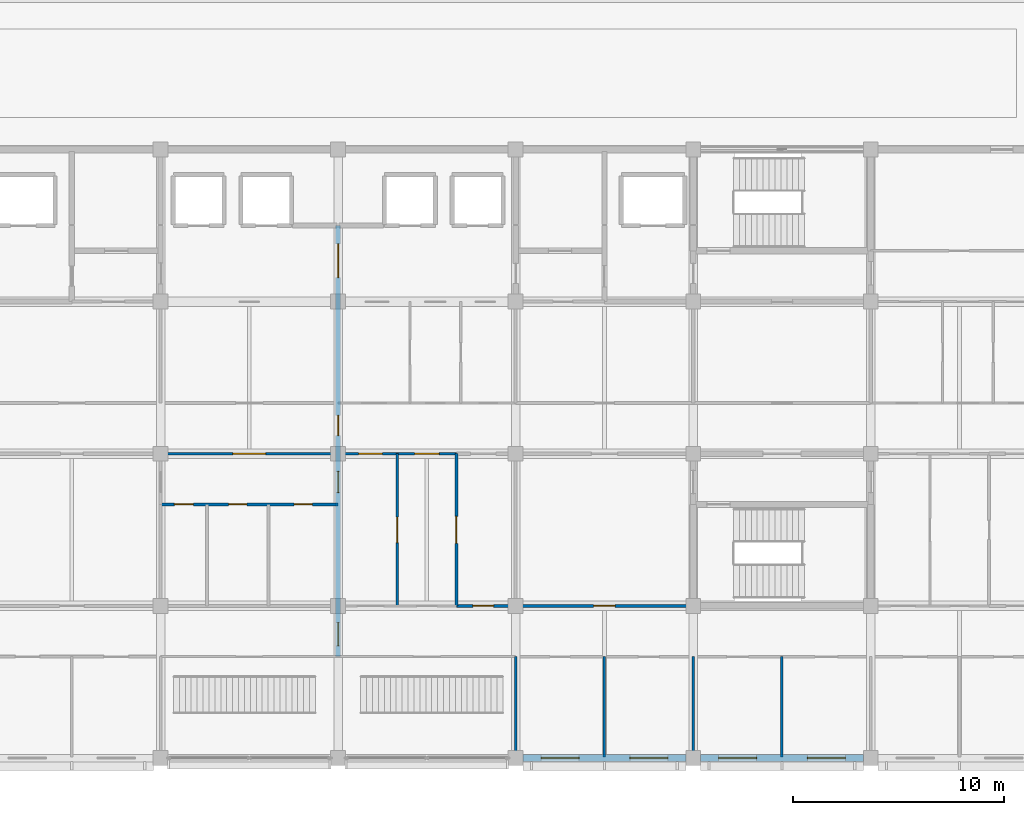
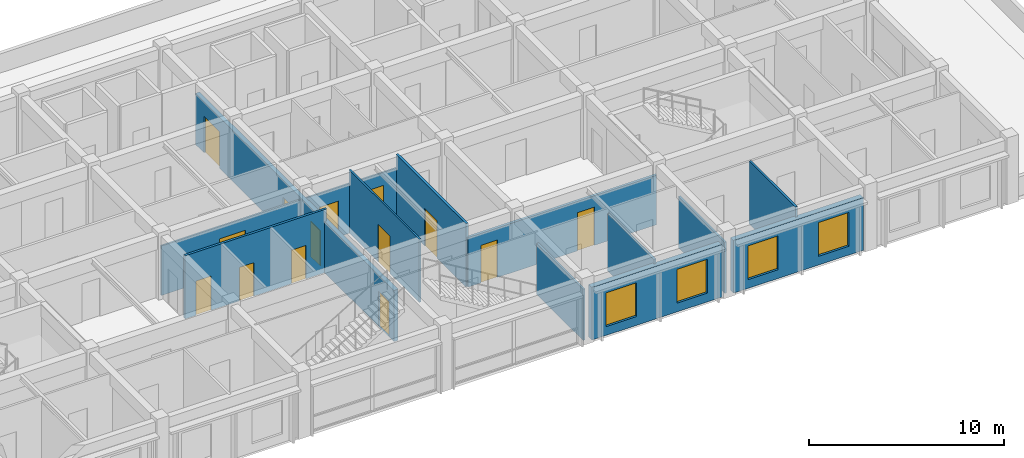
# One storey, part 12 of 19: 14 doors, 12 walls, 4 windows, 18 openings.
"""IFC4 building model written with IfcOpenShell, lengths in metres."""

from ifc_helpers import new_model, si_unit, direction, frame, frame_2d, origin, place, context, subcontext, project, spatial, rectangle, extrude, material, layer, layer_set, type_object, element, fill, save


model = new_model("IFC4")

# Units and contexts
model_context = context("Model", 3, precision=1e-05, world=origin(), true_north=direction((0.0, 1.0)))
body_context = subcontext(model_context, "Body", "Model", "MODEL_VIEW")
ifc_project = project(units=[si_unit("LENGTHUNIT", "METRE"), si_unit("AREAUNIT", "SQUARE_METRE"), si_unit("VOLUMEUNIT", "CUBIC_METRE"), si_unit("PLANEANGLEUNIT", "RADIAN"), si_unit("MASSUNIT", "GRAM", prefix="KILO")], contexts=[model_context])

# Site, building, storey
site_placement = place(None, origin())
site = spatial("IfcSite", under=ifc_project, at=site_placement, CompositionType="ELEMENT")
building_placement = place(site_placement, origin())
building = spatial("IfcBuilding", under=site, at=building_placement, Name="Chengyuan Square Courthouse", CompositionType="ELEMENT")
storey_placement = place(building_placement, frame((0.0, 0.0, 47.699951171875)))
storey = spatial("IfcBuildingStorey", under=building, at=storey_placement, Name="L11", CompositionType="ELEMENT", Elevation=47.699951171875)

# Wall, openings, windows
ifc_material_1 = material(Name="Concrete C40", Category="concrete")
ifc_layer_1 = layer(ifc_material_1, 0.320068359375)
ifc_layer_set_1 = layer_set([ifc_layer_1], Name="Concrete C40")
wall_type_1 = type_object("IfcWallType", Name="WL-EW3", PredefinedType="STANDARD", material=ifc_layer_set_1)
wall_1_placement = place(storey_placement, frame((92.7451171875, 79.199951171875, 0.0), z_axis=(0.0, 0.0, 1.0), x_axis=(1.0, 0.0, 0.0)))
wall_1 = element("IfcWall", 1, at=wall_1_placement, inside=storey, type_object=wall_type_1, Name="Exterior Wall WL-L11-E457", PredefinedType="STANDARD", context=body_context, shape_type="SweptSolid", body=[
    extrude(rectangle(XDim=7.7099609375, YDim=0.320068359375, at=frame_2d((3.85498046875, 0.0))), origin(), (0.0, 0.0, 1.0), 3.31005859375),
])
opening_1_placement = place(wall_1_placement, frame((0.85498046875, 0.0, 0.550048828125)))
opening_1 = element("IfcOpeningElement", 2, at=opening_1_placement, cuts=wall_1, Name="Opening WN-188", PredefinedType="OPENING", context=body_context, shape_type="SweptSolid", body=[
    extrude(rectangle(XDim=1.800048828125, YDim=2.1201171875, at=frame_2d((0.89990234375, 1.06005859375))), frame((0.0, 0.172119140625, 0.0), z_axis=(0.0, -1.0, 0.0), x_axis=(1.0, 0.0, 0.0)), (0.0, 0.0, 1.0), 0.343994140625),
])
opening_2_placement = place(wall_1_placement, frame((5.054931640625, 0.0, 0.550048828125)))
opening_2 = element("IfcOpeningElement", 3, at=opening_2_placement, cuts=wall_1, Name="Opening WN-189", PredefinedType="OPENING", context=body_context, shape_type="SweptSolid", body=[
    extrude(rectangle(XDim=1.800048828125, YDim=2.1201171875, at=frame_2d((0.89990234375, 1.06005859375))), frame((0.0, 0.172119140625, 0.0), z_axis=(0.0, -1.0, 0.0), x_axis=(1.0, 0.0, 0.0)), (0.0, 0.0, 1.0), 0.343994140625),
])
ifc_material_2 = material(Name="Thermally Broken Aluminium Triple Low-E Window", Category="aluminium")
window_type = type_object("IfcWindowType", Name="WT-36", PartitioningType="SINGLE_PANEL", PredefinedType="WINDOW", material=ifc_material_2)
window_1_placement = place(opening_1_placement, origin())
window_1 = element("IfcWindow", 4, at=window_1_placement, inside=storey, type_object=window_type, Name="Facade Window WN-188", OverallHeight=2.1201171875, OverallWidth=1.800048828125, PartitioningType="SINGLE_PANEL", PredefinedType="WINDOW", context=body_context, shape_type="SweptSolid", body=[
    extrude(rectangle(XDim=1.800048828125, YDim=2.1201171875, at=frame_2d((0.89990234375, 1.06005859375))), frame((0.0, 0.030029296875, 0.0), z_axis=(0.0, -1.0, 0.0), x_axis=(1.0, 0.0, 0.0)), (0.0, 0.0, 1.0), 0.06005859375),
])
fill(opening_1, window_1)
window_2_placement = place(opening_2_placement, origin())
window_2 = element("IfcWindow", 5, at=window_2_placement, inside=storey, type_object=window_type, Name="Facade Window WN-189", OverallHeight=2.1201171875, OverallWidth=1.800048828125, PartitioningType="SINGLE_PANEL", PredefinedType="WINDOW", context=body_context, shape_type="SweptSolid", body=[
    extrude(rectangle(XDim=1.800048828125, YDim=2.1201171875, at=frame_2d((0.89990234375, 1.06005859375))), frame((0.0, 0.030029296875, 0.0), z_axis=(0.0, -1.0, 0.0), x_axis=(1.0, 0.0, 0.0)), (0.0, 0.0, 1.0), 0.06005859375),
])
fill(opening_2, window_2)

wall_2_placement = place(storey_placement, frame((101.14501953125, 79.199951171875, 0.0), z_axis=(0.0, 0.0, 1.0), x_axis=(1.0, 0.0, 0.0)))
wall_2 = element("IfcWall", 6, at=wall_2_placement, inside=storey, type_object=wall_type_1, Name="Exterior Wall WL-L11-E459", PredefinedType="STANDARD", context=body_context, shape_type="SweptSolid", body=[
    extrude(rectangle(XDim=7.7099609375, YDim=0.320068359375, at=frame_2d((3.85498046875, 0.0))), origin(), (0.0, 0.0, 1.0), 3.31005859375),
])
opening_3_placement = place(wall_2_placement, frame((0.85498046875, 0.0, 0.550048828125)))
opening_3 = element("IfcOpeningElement", 7, at=opening_3_placement, cuts=wall_2, Name="Opening WN-190", PredefinedType="OPENING", context=body_context, shape_type="SweptSolid", body=[
    extrude(rectangle(XDim=1.800048828125, YDim=2.1201171875, at=frame_2d((0.89990234375, 1.06005859375))), frame((0.0, 0.172119140625, 0.0), z_axis=(0.0, -1.0, 0.0), x_axis=(1.0, 0.0, 0.0)), (0.0, 0.0, 1.0), 0.343994140625),
])
opening_4_placement = place(wall_2_placement, frame((5.054931640625, 0.0, 0.550048828125)))
opening_4 = element("IfcOpeningElement", 8, at=opening_4_placement, cuts=wall_2, Name="Opening WN-191", PredefinedType="OPENING", context=body_context, shape_type="SweptSolid", body=[
    extrude(rectangle(XDim=1.800048828125, YDim=2.1201171875, at=frame_2d((0.89990234375, 1.06005859375))), frame((0.0, 0.172119140625, 0.0), z_axis=(0.0, -1.0, 0.0), x_axis=(1.0, 0.0, 0.0)), (0.0, 0.0, 1.0), 0.343994140625),
])
window_3_placement = place(opening_3_placement, origin())
window_3 = element("IfcWindow", 9, at=window_3_placement, inside=storey, type_object=window_type, Name="Facade Window WN-190", OverallHeight=2.1201171875, OverallWidth=1.800048828125, PartitioningType="SINGLE_PANEL", PredefinedType="WINDOW", context=body_context, shape_type="SweptSolid", body=[
    extrude(rectangle(XDim=1.800048828125, YDim=2.1201171875, at=frame_2d((0.89990234375, 1.06005859375))), frame((0.0, 0.030029296875, 0.0), z_axis=(0.0, -1.0, 0.0), x_axis=(1.0, 0.0, 0.0)), (0.0, 0.0, 1.0), 0.06005859375),
])
fill(opening_3, window_3)
window_4_placement = place(opening_4_placement, origin())
window_4 = element("IfcWindow", 10, at=window_4_placement, inside=storey, type_object=window_type, Name="Facade Window WN-191", OverallHeight=2.1201171875, OverallWidth=1.800048828125, PartitioningType="SINGLE_PANEL", PredefinedType="WINDOW", context=body_context, shape_type="SweptSolid", body=[
    extrude(rectangle(XDim=1.800048828125, YDim=2.1201171875, at=frame_2d((0.89990234375, 1.06005859375))), frame((0.0, 0.030029296875, 0.0), z_axis=(0.0, -1.0, 0.0), x_axis=(1.0, 0.0, 0.0)), (0.0, 0.0, 1.0), 0.06005859375),
])
fill(opening_4, window_4)

# Wall, openings, doors
ifc_layer_2 = layer(ifc_material_1, 0.25)
ifc_layer_set_2 = layer_set([ifc_layer_2], Name="Concrete C40")
wall_type_2 = type_object("IfcWallType", Name="WL-FW1", PredefinedType="STANDARD", material=ifc_layer_set_2)
wall_3_placement = place(storey_placement, frame((84.0, 84.0, 0.0), z_axis=(0.0, 0.0, 1.0), x_axis=(0.0, 1.0, 0.0)))
wall_3 = element("IfcWall", 11, at=wall_3_placement, inside=storey, type_object=wall_type_2, Name="Interior Wall WL-L11-I3599", PredefinedType="STANDARD", context=body_context, shape_type="SweptSolid", body=[
    extrude(rectangle(XDim=20.39990234375, YDim=0.25, at=frame_2d((10.199951171875, 0.0))), origin(), (0.0, 0.0, 1.0), 3.2099609375),
])
opening_5_placement = place(wall_3_placement, frame((17.93505859375, 0.0, 0.0)))
opening_5 = element("IfcOpeningElement", 12, at=opening_5_placement, cuts=wall_3, Name="Opening DR-2933", PredefinedType="OPENING", context=body_context, shape_type="SweptSolid", body=[
    extrude(rectangle(XDim=1.60009765625, YDim=2.300048828125, at=frame_2d((0.800048828125, 1.14990234375))), frame((0.0, 0.136962890625, 0.0), z_axis=(0.0, -1.0, 0.0), x_axis=(1.0, 0.0, 0.0)), (0.0, 0.0, 1.0), 0.27392578125),
])
opening_6_placement = place(wall_3_placement, frame((7.764892578125, 0.0, 0.0)))
opening_6 = element("IfcOpeningElement", 13, at=opening_6_placement, cuts=wall_3, Name="Opening DR-2951", PredefinedType="OPENING", context=body_context, shape_type="SweptSolid", body=[
    extrude(rectangle(XDim=1.0, YDim=2.199951171875, at=frame_2d((0.5, 1.10009765625))), frame((0.0, 0.136962890625, 0.0), z_axis=(0.0, -1.0, 0.0), x_axis=(1.0, 0.0, 0.0)), (0.0, 0.0, 1.0), 0.27392578125),
])
opening_7_placement = place(wall_3_placement, frame((10.4599609375, 0.0, 0.0)))
opening_7 = element("IfcOpeningElement", 14, at=opening_7_placement, cuts=wall_3, Name="Opening DR-2952", PredefinedType="OPENING", context=body_context, shape_type="SweptSolid", body=[
    extrude(rectangle(XDim=0.949951171875, YDim=2.14990234375, at=frame_2d((0.47509765625, 1.074951171875))), frame((0.0, 0.136962890625, 0.0), z_axis=(0.0, -1.0, 0.0), x_axis=(1.0, 0.0, 0.0)), (0.0, 0.0, 1.0), 0.27392578125),
])
opening_8_placement = place(wall_3_placement, frame((0.514892578125, 0.0, 0.0)))
opening_8 = element("IfcOpeningElement", 15, at=opening_8_placement, cuts=wall_3, Name="Opening DR-3001", PredefinedType="OPENING", context=body_context, shape_type="SweptSolid", body=[
    extrude(rectangle(XDim=1.10009765625, YDim=2.199951171875, at=frame_2d((0.550048828125, 1.10009765625))), frame((0.0, 0.136962890625, 0.0), z_axis=(0.0, -1.0, 0.0), x_axis=(1.0, 0.0, 0.0)), (0.0, 0.0, 1.0), 0.27392578125),
])
ifc_material_3 = material(Name="Steel Q235B Fire Door", Category="steel")
door_type_1 = type_object("IfcDoorType", Name="DT-10", OperationType="NOTDEFINED", PredefinedType="DOOR", material=ifc_material_3)
door_1_placement = place(opening_8_placement, origin())
door_1 = element("IfcDoor", 16, at=door_1_placement, inside=storey, type_object=door_type_1, Name="Interior Door DR-3001", OperationType="SINGLE_SWING_RIGHT", OverallHeight=2.199951171875, OverallWidth=1.10009765625, PredefinedType="DOOR", context=body_context, shape_type="SweptSolid", body=[
    extrude(rectangle(XDim=1.10009765625, YDim=2.199951171875, at=frame_2d((0.550048828125, 1.10009765625))), frame((0.0, 0.02490234375, 0.0), z_axis=(0.0, -1.0, 0.0), x_axis=(1.0, 0.0, 0.0)), (0.0, 0.0, 1.0), 0.050048828125),
])
fill(opening_8, door_1)
door_type_2 = type_object("IfcDoorType", Name="DT-11", OperationType="NOTDEFINED", PredefinedType="DOOR", material=ifc_material_3)
door_2_placement = place(opening_6_placement, origin())
door_2 = element("IfcDoor", 17, at=door_2_placement, inside=storey, type_object=door_type_2, Name="Interior Door DR-2951", OperationType="SINGLE_SWING_RIGHT", OverallHeight=2.199951171875, OverallWidth=1.0, PredefinedType="DOOR", context=body_context, shape_type="SweptSolid", body=[
    extrude(rectangle(XDim=1.0, YDim=2.199951171875, at=frame_2d((0.5, 1.10009765625))), frame((0.0, 0.02490234375, 0.0), z_axis=(0.0, -1.0, 0.0), x_axis=(1.0, 0.0, 0.0)), (0.0, 0.0, 1.0), 0.050048828125),
])
fill(opening_6, door_2)
door_type_3 = type_object("IfcDoorType", Name="DT-12", OperationType="NOTDEFINED", PredefinedType="DOOR", material=ifc_material_3)
door_3_placement = place(opening_7_placement, origin())
door_3 = element("IfcDoor", 18, at=door_3_placement, inside=storey, type_object=door_type_3, Name="Interior Door DR-2952", OperationType="SINGLE_SWING_LEFT", OverallHeight=2.14990234375, OverallWidth=0.949951171875, PredefinedType="DOOR", context=body_context, shape_type="SweptSolid", body=[
    extrude(rectangle(XDim=0.949951171875, YDim=2.14990234375, at=frame_2d((0.47509765625, 1.074951171875))), frame((0.0, 0.02490234375, 0.0), z_axis=(0.0, -1.0, 0.0), x_axis=(1.0, 0.0, 0.0)), (0.0, 0.0, 1.0), 0.050048828125),
])
fill(opening_7, door_3)
ifc_material_4 = material(Name="Steel Q235B Glazed Fire Door", Category="steel")
door_type_4 = type_object("IfcDoorType", Name="DT-17", OperationType="DOUBLE_DOOR_SINGLE_SWING", PredefinedType="DOOR", material=ifc_material_4)
door_4_placement = place(opening_5_placement, frame((1.60009765625, 0.0, 0.0), z_axis=(0.0, 0.0, 1.0), x_axis=(-1.0, 0.0, 0.0)))
door_4 = element("IfcDoor", 19, at=door_4_placement, inside=storey, type_object=door_type_4, Name="Interior Door DR-2933", OperationType="DOUBLE_DOOR_SINGLE_SWING", OverallHeight=2.300048828125, OverallWidth=1.60009765625, PredefinedType="DOOR", context=body_context, shape_type="SweptSolid", body=[
    extrude(rectangle(XDim=1.60009765625, YDim=2.300048828125, at=frame_2d((0.800048828125, 1.14990234375))), frame((0.0, 0.02490234375, 0.0), z_axis=(0.0, -1.0, 0.0), x_axis=(1.0, 0.0, 0.0)), (0.0, 0.0, 1.0), 0.050048828125),
])
fill(opening_5, door_4)

ifc_material_5 = material(Name="Deliberation Room Sound-Insulated Partition")
ifc_layer_3 = layer(ifc_material_5, 0.14990234375)
ifc_layer_set_3 = layer_set([ifc_layer_3], Name="Deliberation Room Sound-Insulated Partition")
wall_type_3 = type_object("IfcWallType", Name="WL-PT3", PredefinedType="STANDARD", material=ifc_layer_set_3)
wall_4_placement = place(storey_placement, frame((89.60009765625, 86.39990234375, 0.0), z_axis=(0.0, 0.0, 1.0), x_axis=(1.0, 0.0, 0.0)))
wall_4 = element("IfcWall", 20, at=wall_4_placement, inside=storey, type_object=wall_type_3, Name="Interior Wall WL-L11-I3515", PredefinedType="STANDARD", context=body_context, shape_type="SweptSolid", body=[
    extrude(rectangle(XDim=11.199951171875, YDim=0.14990234375, at=frame_2d((5.60009765625, 0.0))), origin(), (0.0, 0.0, 1.0), 3.110107421875),
])
opening_9_placement = place(wall_4_placement, frame((0.77490234375, 0.0, 0.0)))
opening_9 = element("IfcOpeningElement", 21, at=opening_9_placement, cuts=wall_4, Name="Opening DR-2994", PredefinedType="OPENING", context=body_context, shape_type="SweptSolid", body=[
    extrude(rectangle(XDim=0.97998046875, YDim=2.35009765625, at=frame_2d((0.489990234375, 1.175048828125))), frame((0.0, 0.0869140625, 0.0), z_axis=(0.0, -1.0, 0.0), x_axis=(1.0, 0.0, 0.0)), (0.0, 0.0, 1.0), 0.173828125),
])
opening_10_placement = place(wall_4_placement, frame((6.489990234375, 0.0, 0.0)))
opening_10 = element("IfcOpeningElement", 22, at=opening_10_placement, cuts=wall_4, Name="Opening DR-2995", PredefinedType="OPENING", context=body_context, shape_type="SweptSolid", body=[
    extrude(rectangle(XDim=1.02001953125, YDim=2.39990234375, at=frame_2d((0.510009765625, 1.199951171875))), frame((0.0, 0.0869140625, 0.0), z_axis=(0.0, -1.0, 0.0), x_axis=(1.0, 0.0, 0.0)), (0.0, 0.0, 1.0), 0.173828125),
])
ifc_material_6 = material(Name="Acoustic Solid-Core Timber Door", Category="wood")
door_type_5 = type_object("IfcDoorType", Name="DT-40", OperationType="NOTDEFINED", PredefinedType="DOOR", material=ifc_material_6)
door_5_placement = place(opening_9_placement, origin())
door_5 = element("IfcDoor", 23, at=door_5_placement, inside=storey, type_object=door_type_5, Name="Interior Door DR-2994", OperationType="SINGLE_SWING_LEFT", OverallHeight=2.35009765625, OverallWidth=0.97998046875, PredefinedType="DOOR", context=body_context, shape_type="SweptSolid", body=[
    extrude(rectangle(XDim=0.97998046875, YDim=2.35009765625, at=frame_2d((0.489990234375, 1.175048828125))), frame((0.0, 0.02490234375, 0.0), z_axis=(0.0, -1.0, 0.0), x_axis=(1.0, 0.0, 0.0)), (0.0, 0.0, 1.0), 0.050048828125),
])
fill(opening_9, door_5)
door_type_6 = type_object("IfcDoorType", Name="DT-41", OperationType="NOTDEFINED", PredefinedType="DOOR", material=ifc_material_6)
door_6_placement = place(opening_10_placement, origin())
door_6 = element("IfcDoor", 24, at=door_6_placement, inside=storey, type_object=door_type_6, Name="Interior Door DR-2995", OperationType="SINGLE_SWING_RIGHT", OverallHeight=2.39990234375, OverallWidth=1.02001953125, PredefinedType="DOOR", context=body_context, shape_type="SweptSolid", body=[
    extrude(rectangle(XDim=1.02001953125, YDim=2.39990234375, at=frame_2d((0.510009765625, 1.199951171875))), frame((0.0, 0.02490234375, 0.0), z_axis=(0.0, -1.0, 0.0), x_axis=(1.0, 0.0, 0.0)), (0.0, 0.0, 1.0), 0.050048828125),
])
fill(opening_10, door_6)

# Wall, opening, door
wall_5_placement = place(storey_placement, frame((89.60009765625, 86.39990234375, 0.0), z_axis=(0.0, 0.0, 1.0), x_axis=(0.0, 1.0, 0.0)))
wall_5 = element("IfcWall", 25, at=wall_5_placement, inside=storey, type_object=wall_type_3, Name="Interior Wall WL-L11-I3605", PredefinedType="STANDARD", context=body_context, shape_type="SweptSolid", body=[
    extrude(rectangle(XDim=7.2001953125, YDim=0.14990234375, at=frame_2d((3.60009765625, 0.0))), origin(), (0.0, 0.0, 1.0), 3.9599609375),
])
opening_11_placement = place(wall_5_placement, frame((2.9599609375, 0.0, 0.0)))
opening_11 = element("IfcOpeningElement", 26, at=opening_11_placement, cuts=wall_5, Name="Opening DR-2992", PredefinedType="OPENING", context=body_context, shape_type="SweptSolid", body=[
    extrude(rectangle(XDim=1.280029296875, YDim=2.35009765625, at=frame_2d((0.64013671875, 1.175048828125))), frame((0.0, 0.0869140625, 0.0), z_axis=(0.0, -1.0, 0.0), x_axis=(1.0, 0.0, 0.0)), (0.0, 0.0, 1.0), 0.173828125),
])
door_type_7 = type_object("IfcDoorType", Name="DT-38", OperationType="NOTDEFINED", PredefinedType="DOOR", material=ifc_material_6)
door_7_placement = place(opening_11_placement, origin())
door_7 = element("IfcDoor", 27, at=door_7_placement, inside=storey, type_object=door_type_7, Name="Interior Door DR-2992", OperationType="SINGLE_SWING_LEFT", OverallHeight=2.35009765625, OverallWidth=1.280029296875, PredefinedType="DOOR", context=body_context, shape_type="SweptSolid", body=[
    extrude(rectangle(XDim=1.280029296875, YDim=2.35009765625, at=frame_2d((0.64013671875, 1.175048828125))), frame((0.0, 0.02490234375, 0.0), z_axis=(0.0, -1.0, 0.0), x_axis=(1.0, 0.0, 0.0)), (0.0, 0.0, 1.0), 0.050048828125),
])
fill(opening_11, door_7)

# Wall, openings, doors
ifc_material_7 = material(Name="Moisture-Resistant Masonry Wet-Room Partition", Category="masonry")
ifc_layer_4 = layer(ifc_material_7, 0.139892578125)
ifc_layer_set_4 = layer_set([ifc_layer_4], Name="Moisture-Resistant Masonry Wet-Room Partition")
wall_type_4 = type_object("IfcWallType", Name="WL-PT4", PredefinedType="STANDARD", material=ifc_layer_set_4)
wall_6_placement = place(storey_placement, frame((75.60009765625, 91.199951171875, 0.0), z_axis=(0.0, 0.0, 1.0), x_axis=(1.0, 0.0, 0.0)))
wall_6 = element("IfcWall", 28, at=wall_6_placement, inside=storey, type_object=wall_type_4, Name="Interior Wall WL-L11-I3520", PredefinedType="STANDARD", context=body_context, shape_type="SweptSolid", body=[
    extrude(rectangle(XDim=8.39990234375, YDim=0.139892578125, at=frame_2d((4.199951171875, 0.0))), origin(), (0.0, 0.0, 1.0), 3.9599609375),
])
opening_12_placement = place(wall_6_placement, frame((0.64990234375, 0.0, 0.0)))
opening_12 = element("IfcOpeningElement", 29, at=opening_12_placement, cuts=wall_6, Name="Opening DR-2946", PredefinedType="OPENING", context=body_context, shape_type="SweptSolid", body=[
    extrude(rectangle(XDim=0.89990234375, YDim=2.14990234375, at=frame_2d((0.449951171875, 1.074951171875))), frame((0.0, 0.08203125, 0.0), z_axis=(0.0, -1.0, 0.0), x_axis=(1.0, 0.0, 0.0)), (0.0, 0.0, 1.0), 0.163818359375),
])
opening_13_placement = place(wall_6_placement, frame((3.219970703125, 0.0, 0.0)))
opening_13 = element("IfcOpeningElement", 30, at=opening_13_placement, cuts=wall_6, Name="Opening DR-2947", PredefinedType="OPENING", context=body_context, shape_type="SweptSolid", body=[
    extrude(rectangle(XDim=0.860107421875, YDim=2.10009765625, at=frame_2d((0.43017578125, 1.050048828125))), frame((0.0, 0.08203125, 0.0), z_axis=(0.0, -1.0, 0.0), x_axis=(1.0, 0.0, 0.0)), (0.0, 0.0, 1.0), 0.163818359375),
])
opening_14_placement = place(wall_6_placement, frame((6.320068359375, 0.0, 0.0)))
opening_14 = element("IfcOpeningElement", 31, at=opening_14_placement, cuts=wall_6, Name="Opening DR-2948", PredefinedType="OPENING", context=body_context, shape_type="SweptSolid", body=[
    extrude(rectangle(XDim=0.860107421875, YDim=2.10009765625, at=frame_2d((0.43017578125, 1.050048828125))), frame((0.0, 0.08203125, 0.0), z_axis=(0.0, -1.0, 0.0), x_axis=(1.0, 0.0, 0.0)), (0.0, 0.0, 1.0), 0.163818359375),
])
door_type_8 = type_object("IfcDoorType", Name="DT-27", OperationType="NOTDEFINED", PredefinedType="DOOR", material=ifc_material_6)
door_8_placement = place(opening_12_placement, origin())
door_8 = element("IfcDoor", 32, at=door_8_placement, inside=storey, type_object=door_type_8, Name="Interior Door DR-2946", OperationType="SINGLE_SWING_RIGHT", OverallHeight=2.14990234375, OverallWidth=0.89990234375, PredefinedType="DOOR", context=body_context, shape_type="SweptSolid", body=[
    extrude(rectangle(XDim=0.89990234375, YDim=2.14990234375, at=frame_2d((0.449951171875, 1.074951171875))), frame((0.0, 0.02490234375, 0.0), z_axis=(0.0, -1.0, 0.0), x_axis=(1.0, 0.0, 0.0)), (0.0, 0.0, 1.0), 0.050048828125),
])
fill(opening_12, door_8)
door_type_9 = type_object("IfcDoorType", Name="DT-28", OperationType="NOTDEFINED", PredefinedType="DOOR", material=ifc_material_6)
door_9_placement = place(opening_13_placement, origin())
door_9 = element("IfcDoor", 33, at=door_9_placement, inside=storey, type_object=door_type_9, Name="Interior Door DR-2947", OperationType="SINGLE_SWING_LEFT", OverallHeight=2.10009765625, OverallWidth=0.860107421875, PredefinedType="DOOR", context=body_context, shape_type="SweptSolid", body=[
    extrude(rectangle(XDim=0.860107421875, YDim=2.10009765625, at=frame_2d((0.43017578125, 1.050048828125))), frame((0.0, 0.02490234375, 0.0), z_axis=(0.0, -1.0, 0.0), x_axis=(1.0, 0.0, 0.0)), (0.0, 0.0, 1.0), 0.050048828125),
])
fill(opening_13, door_9)
door_10_placement = place(opening_14_placement, origin())
door_10 = element("IfcDoor", 34, at=door_10_placement, inside=storey, type_object=door_type_9, Name="Interior Door DR-2948", OperationType="SINGLE_SWING_RIGHT", OverallHeight=2.10009765625, OverallWidth=0.860107421875, PredefinedType="DOOR", context=body_context, shape_type="SweptSolid", body=[
    extrude(rectangle(XDim=0.860107421875, YDim=2.10009765625, at=frame_2d((0.43017578125, 1.050048828125))), frame((0.0, 0.02490234375, 0.0), z_axis=(0.0, -1.0, 0.0), x_axis=(1.0, 0.0, 0.0)), (0.0, 0.0, 1.0), 0.050048828125),
])
fill(opening_14, door_10)

# Walls
ifc_material_8 = material(Name="Judges Chambers Gypsum Stud Partition")
ifc_layer_5 = layer(ifc_material_8, 0.1201171875)
ifc_layer_set_5 = layer_set([ifc_layer_5], Name="Judges Chambers Gypsum Stud Partition")
wall_type_5 = type_object("IfcWallType", Name="WL-PT5", PredefinedType="STANDARD", material=ifc_layer_set_5)
wall_7_placement = place(storey_placement, frame((92.39990234375, 79.239990234375, 0.0), z_axis=(0.0, 0.0, 1.0), x_axis=(0.0, 1.0, 0.0)))
element("IfcWall", 35, at=wall_7_placement, inside=storey, type_object=wall_type_5, Name="Interior Wall WL-L11-I3608", PredefinedType="STANDARD", context=body_context, shape_type="SweptSolid", body=[
    extrude(rectangle(XDim=4.760009765625, YDim=0.1201171875, at=frame_2d((2.3798828125, 0.0))), origin(), (0.0, 0.0, 1.0), 3.2099609375),
])
wall_8_placement = place(storey_placement, frame((96.60009765625, 79.239990234375, 0.0), z_axis=(0.0, 0.0, 1.0), x_axis=(0.0, 1.0, 0.0)))
element("IfcWall", 36, at=wall_8_placement, inside=storey, type_object=wall_type_5, Name="Interior Wall WL-L11-I3613", PredefinedType="STANDARD", context=body_context, shape_type="SweptSolid", body=[
    extrude(rectangle(XDim=4.760009765625, YDim=0.1201171875, at=frame_2d((2.3798828125, 0.0))), origin(), (0.0, 0.0, 1.0), 3.610107421875),
])
wall_9_placement = place(storey_placement, frame((100.800048828125, 79.239990234375, 0.0), z_axis=(0.0, 0.0, 1.0), x_axis=(0.0, 1.0, 0.0)))
element("IfcWall", 37, at=wall_9_placement, inside=storey, type_object=wall_type_5, Name="Interior Wall WL-L11-I3618", PredefinedType="STANDARD", context=body_context, shape_type="SweptSolid", body=[
    extrude(rectangle(XDim=4.760009765625, YDim=0.1201171875, at=frame_2d((2.3798828125, 0.0))), origin(), (0.0, 0.0, 1.0), 3.2099609375),
])
wall_10_placement = place(storey_placement, frame((105.0, 79.239990234375, 0.0), z_axis=(0.0, 0.0, 1.0), x_axis=(0.0, 1.0, 0.0)))
element("IfcWall", 38, at=wall_10_placement, inside=storey, type_object=wall_type_5, Name="Interior Wall WL-L11-I3625", PredefinedType="STANDARD", context=body_context, shape_type="SweptSolid", body=[
    extrude(rectangle(XDim=4.760009765625, YDim=0.1201171875, at=frame_2d((2.3798828125, 0.0))), origin(), (0.0, 0.0, 1.0), 3.9599609375),
])

# Wall, openings, doors
ifc_material_9 = material(Name="Gypsum Plasterboard Acoustic Stud Partition")
ifc_layer_6 = layer(ifc_material_9, 0.10009765625)
ifc_layer_set_6 = layer_set([ifc_layer_6], Name="Gypsum Plasterboard Acoustic Stud Partition")
wall_type_6 = type_object("IfcWallType", Name="WL-PT6", PredefinedType="STANDARD", material=ifc_layer_set_6)
wall_11_placement = place(storey_placement, frame((75.60009765625, 93.60009765625, 0.0), z_axis=(0.0, 0.0, 1.0), x_axis=(1.0, 0.0, 0.0)))
wall_11 = element("IfcWall", 39, at=wall_11_placement, inside=storey, type_object=wall_type_6, Name="Interior Wall WL-L11-I3526", PredefinedType="STANDARD", context=body_context, shape_type="SweptSolid", body=[
    extrude(rectangle(XDim=14.0, YDim=0.10009765625, at=frame_2d((7.0, 0.0))), origin(), (0.0, 0.0, 1.0), 3.110107421875),
])
opening_15_placement = place(wall_11_placement, frame((3.425048828125, 0.0, 0.0)))
opening_15 = element("IfcOpeningElement", 40, at=opening_15_placement, cuts=wall_11, Name="Opening DR-2949", PredefinedType="OPENING", context=body_context, shape_type="SweptSolid", body=[
    extrude(rectangle(XDim=1.550048828125, YDim=2.35009765625, at=frame_2d((0.77490234375, 1.175048828125))), frame((0.0, 0.06201171875, 0.0), z_axis=(0.0, -1.0, 0.0), x_axis=(1.0, 0.0, 0.0)), (0.0, 0.0, 1.0), 0.1240234375),
])
opening_16_placement = place(wall_11_placement, frame((9.375, 0.0, 0.0)))
opening_16 = element("IfcOpeningElement", 41, at=opening_16_placement, cuts=wall_11, Name="Opening DR-2971", PredefinedType="OPENING", context=body_context, shape_type="SweptSolid", body=[
    extrude(rectangle(XDim=1.1201171875, YDim=2.25, at=frame_2d((0.56005859375, 1.125))), frame((0.0, 0.06201171875, 0.0), z_axis=(0.0, -1.0, 0.0), x_axis=(1.0, 0.0, 0.0)), (0.0, 0.0, 1.0), 0.1240234375),
])
opening_17_placement = place(wall_11_placement, frame((12.02001953125, 0.0, 0.0)))
opening_17 = element("IfcOpeningElement", 42, at=opening_17_placement, cuts=wall_11, Name="Opening DR-2972", PredefinedType="OPENING", context=body_context, shape_type="SweptSolid", body=[
    extrude(rectangle(XDim=1.159912109375, YDim=2.300048828125, at=frame_2d((0.580078125, 1.14990234375))), frame((0.0, 0.06201171875, 0.0), z_axis=(0.0, -1.0, 0.0), x_axis=(1.0, 0.0, 0.0)), (0.0, 0.0, 1.0), 0.1240234375),
])
ifc_material_10 = material(Name="Acoustic Larch Veneer Double Door")
door_type_10 = type_object("IfcDoorType", Name="DT-23", OperationType="DOUBLE_DOOR_SINGLE_SWING", PredefinedType="DOOR", material=ifc_material_10)
door_11_placement = place(opening_15_placement, frame((1.550048828125, 0.0, 0.0), z_axis=(0.0, 0.0, 1.0), x_axis=(-1.0, 0.0, 0.0)))
door_11 = element("IfcDoor", 43, at=door_11_placement, inside=storey, type_object=door_type_10, Name="Interior Door DR-2949", OperationType="DOUBLE_DOOR_SINGLE_SWING", OverallHeight=2.35009765625, OverallWidth=1.550048828125, PredefinedType="DOOR", context=body_context, shape_type="SweptSolid", body=[
    extrude(rectangle(XDim=1.550048828125, YDim=2.35009765625, at=frame_2d((0.77490234375, 1.175048828125))), frame((0.0, 0.02490234375, 0.0), z_axis=(0.0, -1.0, 0.0), x_axis=(1.0, 0.0, 0.0)), (0.0, 0.0, 1.0), 0.050048828125),
])
fill(opening_15, door_11)
door_type_11 = type_object("IfcDoorType", Name="DT-34", OperationType="NOTDEFINED", PredefinedType="DOOR", material=ifc_material_6)
door_12_placement = place(opening_16_placement, origin())
door_12 = element("IfcDoor", 44, at=door_12_placement, inside=storey, type_object=door_type_11, Name="Interior Door DR-2971", OperationType="SINGLE_SWING_RIGHT", OverallHeight=2.25, OverallWidth=1.1201171875, PredefinedType="DOOR", context=body_context, shape_type="SweptSolid", body=[
    extrude(rectangle(XDim=1.1201171875, YDim=2.25, at=frame_2d((0.56005859375, 1.125))), frame((0.0, 0.02490234375, 0.0), z_axis=(0.0, -1.0, 0.0), x_axis=(1.0, 0.0, 0.0)), (0.0, 0.0, 1.0), 0.050048828125),
])
fill(opening_16, door_12)
door_type_12 = type_object("IfcDoorType", Name="DT-35", OperationType="NOTDEFINED", PredefinedType="DOOR", material=ifc_material_6)
door_13_placement = place(opening_17_placement, origin())
door_13 = element("IfcDoor", 45, at=door_13_placement, inside=storey, type_object=door_type_12, Name="Interior Door DR-2972", OperationType="SINGLE_SWING_LEFT", OverallHeight=2.300048828125, OverallWidth=1.159912109375, PredefinedType="DOOR", context=body_context, shape_type="SweptSolid", body=[
    extrude(rectangle(XDim=1.159912109375, YDim=2.300048828125, at=frame_2d((0.580078125, 1.14990234375))), frame((0.0, 0.02490234375, 0.0), z_axis=(0.0, -1.0, 0.0), x_axis=(1.0, 0.0, 0.0)), (0.0, 0.0, 1.0), 0.050048828125),
])
fill(opening_17, door_13)

# Wall, opening, door
wall_12_placement = place(storey_placement, frame((86.800048828125, 86.39990234375, 0.0), z_axis=(0.0, 0.0, 1.0), x_axis=(0.0, 1.0, 0.0)))
wall_12 = element("IfcWall", 46, at=wall_12_placement, inside=storey, type_object=wall_type_6, Name="Interior Wall WL-L11-I3601", PredefinedType="STANDARD", context=body_context, shape_type="SweptSolid", body=[
    extrude(rectangle(XDim=7.2001953125, YDim=0.10009765625, at=frame_2d((3.60009765625, 0.0))), origin(), (0.0, 0.0, 1.0), 3.9599609375),
])
opening_18_placement = place(wall_12_placement, frame((3.0, 0.0, 0.0)))
opening_18 = element("IfcOpeningElement", 47, at=opening_18_placement, cuts=wall_12, Name="Opening DR-2990", PredefinedType="OPENING", context=body_context, shape_type="SweptSolid", body=[
    extrude(rectangle(XDim=1.199951171875, YDim=2.35009765625, at=frame_2d((0.60009765625, 1.175048828125))), frame((0.0, 0.06201171875, 0.0), z_axis=(0.0, -1.0, 0.0), x_axis=(1.0, 0.0, 0.0)), (0.0, 0.0, 1.0), 0.1240234375),
])
door_type_13 = type_object("IfcDoorType", Name="DT-36", OperationType="NOTDEFINED", PredefinedType="DOOR", material=ifc_material_6)
door_14_placement = place(opening_18_placement, origin())
door_14 = element("IfcDoor", 48, at=door_14_placement, inside=storey, type_object=door_type_13, Name="Interior Door DR-2990", OperationType="SINGLE_SWING_LEFT", OverallHeight=2.35009765625, OverallWidth=1.199951171875, PredefinedType="DOOR", context=body_context, shape_type="SweptSolid", body=[
    extrude(rectangle(XDim=1.199951171875, YDim=2.35009765625, at=frame_2d((0.60009765625, 1.175048828125))), frame((0.0, 0.02490234375, 0.0), z_axis=(0.0, -1.0, 0.0), x_axis=(1.0, 0.0, 0.0)), (0.0, 0.0, 1.0), 0.050048828125),
])
fill(opening_18, door_14)

save(model, "model.ifc")
